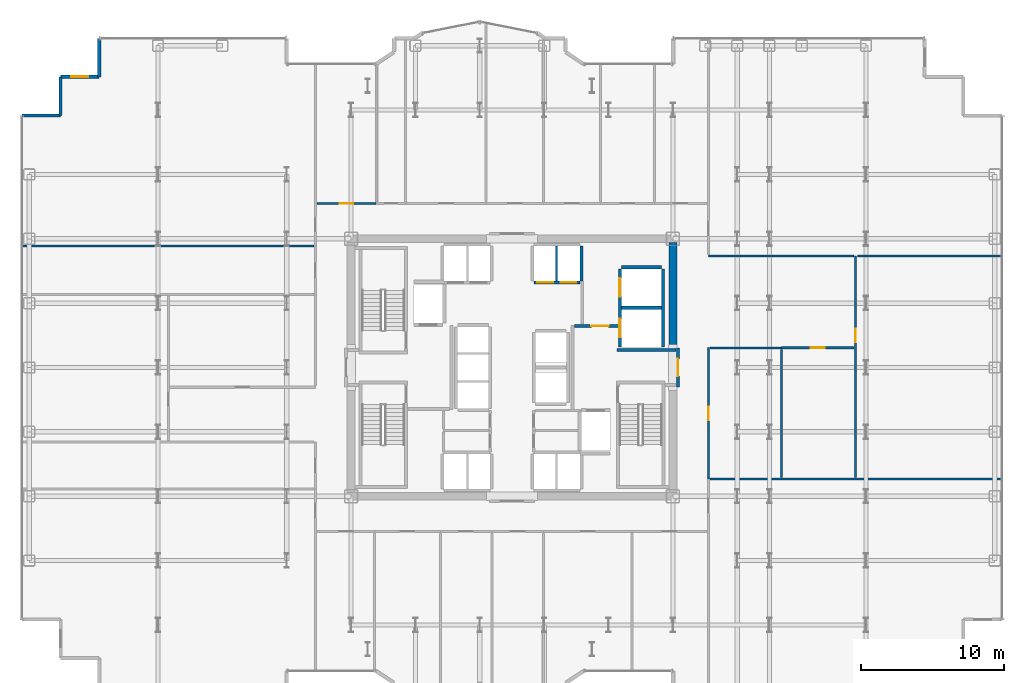
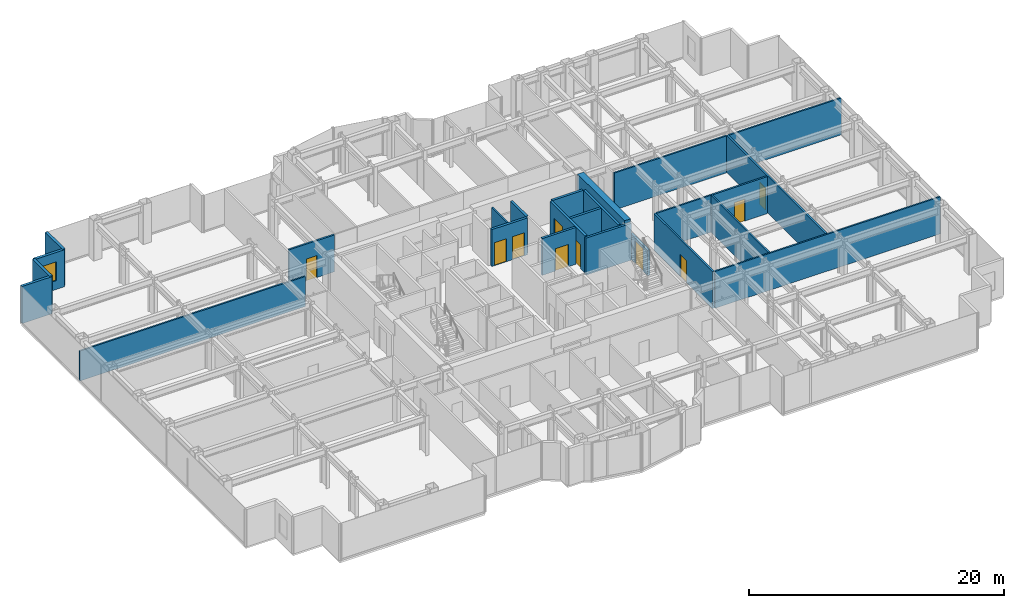
# One storey, part 23 of 26: 25 walls, 10 doors, 1 window, 11 openings.
"""IFC4 building model written with IfcOpenShell, lengths in metres."""

from ifc_helpers import new_model, si_unit, direction, frame, frame_2d, origin, place, context, subcontext, project, spatial, rectangle, extrude, source, transform, mapped, material, layer, layer_set, type_object, element, fill, save


model = new_model("IFC4")

# Units and contexts
model_context = context("Model", 3, precision=1e-05, world=origin(), true_north=direction((0.0, 1.0)))
body_context = subcontext(model_context, "Body", "Model", "MODEL_VIEW")
ifc_project = project(units=[si_unit("LENGTHUNIT", "METRE"), si_unit("AREAUNIT", "SQUARE_METRE"), si_unit("VOLUMEUNIT", "CUBIC_METRE"), si_unit("PLANEANGLEUNIT", "RADIAN"), si_unit("MASSUNIT", "GRAM", prefix="KILO")], contexts=[model_context])

# Site, building, storey
site_placement = place(None, origin())
site = spatial("IfcSite", under=ifc_project, at=site_placement, CompositionType="ELEMENT")
building_placement = place(site_placement, origin())
building = spatial("IfcBuilding", under=site, at=building_placement, Name="Nefas-Gora Pilgrimage Tower", CompositionType="ELEMENT")
storey_placement = place(building_placement, frame((0.0, 0.0, 121.199951171875)))
storey = spatial("IfcBuildingStorey", under=building, at=storey_placement, Name="L29", CompositionType="ELEMENT", Elevation=121.199951171875)

# Walls
ifc_material_1 = material(Name="Concrete C60/75", Category="concrete")
ifc_layer_1 = layer(ifc_material_1, 0.550048828125)
ifc_layer_set_1 = layer_set([ifc_layer_1], Name="Concrete C60/75")
wall_type_1 = type_object("IfcWallType", Name="SW-CORE-550", PredefinedType="SHEAR", material=ifc_layer_set_1)
shared_shape_1 = source(origin(), body_context, "Body", "SweptSolid", [
    extrude(rectangle(XDim=7.375, YDim=0.550048828125, at=frame_2d((3.6875, 0.0))), origin(), (0.0, 0.0, 1.0), 3.800048828125),
])
wall_1_placement = place(storey_placement, frame((11.25, 1.35009765625, 0.0), z_axis=(0.0, 0.0, 1.0), x_axis=(0.0, 1.0, 0.0)))
element("IfcWall", 1, at=wall_1_placement, inside=storey, type_object=wall_type_1, Name="L29 Core Shear Wall E-North", PredefinedType="SHEAR", context=body_context, shape_type="MappedRepresentation", body=[
    mapped(shared_shape_1, transform((0.0, 0.0, 0.0), x_axis=(1.0, 0.0, 0.0), y_axis=(0.0, 1.0, 0.0), z_axis=(0.0, 0.0, 1.0), scale=1.0)),
])
ifc_material_2 = material(Name="Precast concrete C45/55", Category="concrete")
ifc_layer_2 = layer(ifc_material_2, 0.239990234375)
ifc_layer_set_2 = layer_set([ifc_layer_2], Name="Precast concrete C45/55")
wall_type_2 = type_object("IfcWallType", Name="EW-SERR-240", PredefinedType="SHEAR", material=ifc_layer_set_2)
shared_shape_2 = source(origin(), body_context, "Body", "SweptSolid", [
    extrude(rectangle(XDim=2.699951171875, YDim=0.239990234375, at=frame_2d((1.35009765625, 0.0))), origin(), (0.0, 0.0, 1.0), 3.550048828125),
])
wall_2_placement = place(storey_placement, frame((-28.8701171875, 23.02001953125, 0.0), z_axis=(0.0, 0.0, 1.0), x_axis=(0.0, -1.0, 0.0)))
element("IfcWall", 2, at=wall_2_placement, inside=storey, type_object=wall_type_2, Name="L29 Serrated Corner Shear Pier Wall 20", PredefinedType="SHEAR", context=body_context, shape_type="MappedRepresentation", body=[
    mapped(shared_shape_2, transform((0.0, 0.0, 0.0), x_axis=(1.0, 0.0, 0.0), y_axis=(0.0, 1.0, 0.0), z_axis=(0.0, 0.0, 1.0), scale=1.0)),
])

# Wall, opening, window
wall_3_placement = place(storey_placement, frame((-28.8701171875, 20.320068359375, 0.0), z_axis=(0.0, 0.0, 1.0), x_axis=(-1.0, 0.0, 0.0)))
wall_3 = element("IfcWall", 3, at=wall_3_placement, inside=storey, type_object=wall_type_2, Name="L29 Serrated Corner Shear Pier Wall 21", PredefinedType="SHEAR", context=body_context, shape_type="MappedRepresentation", body=[
    mapped(shared_shape_2, transform((0.0, 0.0, 0.0), x_axis=(1.0, 0.0, 0.0), y_axis=(0.0, 1.0, 0.0), z_axis=(0.0, 0.0, 1.0), scale=1.0)),
])
opening_1_placement = place(wall_3_placement, frame((0.75, 0.0, 0.85009765625)))
opening_1 = element("IfcOpeningElement", 4, at=opening_1_placement, cuts=wall_3, Name="Opening W-V1", PredefinedType="OPENING", context=body_context, shape_type="SweptSolid", body=[
    extrude(rectangle(XDim=1.199951171875, YDim=1.800048828125, at=frame_2d((0.60009765625, 0.89990234375))), frame((0.0, 0.1298828125, 0.0), z_axis=(0.0, -1.0, 0.0), x_axis=(1.0, 0.0, 0.0)), (0.0, 0.0, 1.0), 0.260009765625),
])
ifc_material_3 = material(Name="Dark ceramic-fritted operable aluminium-glass window", Category="aluminium")
window_type = type_object("IfcWindowType", Name="WIN-VENT-1200x1800", PartitioningType="SINGLE_PANEL", PredefinedType="WINDOW", material=ifc_material_3)
shared_shape_3 = source(origin(), body_context, "Body", "SweptSolid", [
    extrude(rectangle(XDim=1.199951171875, YDim=1.800048828125, at=frame_2d((0.60009765625, 0.89990234375))), frame((0.0, 0.030029296875, 0.0), z_axis=(0.0, -1.0, 0.0), x_axis=(1.0, 0.0, 0.0)), (0.0, 0.0, 1.0), 0.06005859375),
])
window_placement = place(opening_1_placement, origin())
window = element("IfcWindow", 5, at=window_placement, inside=storey, type_object=window_type, Name="L29 Operable Parallel-Outswing Window 21", OverallHeight=1.800048828125, OverallWidth=1.199951171875, PartitioningType="SINGLE_PANEL", PredefinedType="WINDOW", context=body_context, shape_type="MappedRepresentation", body=[
    mapped(shared_shape_3, transform((0.0, 0.0, 0.0), x_axis=(1.0, 0.0, 0.0), y_axis=(0.0, 1.0, 0.0), z_axis=(0.0, 0.0, 1.0), scale=1.0)),
])
fill(opening_1, window)

# Walls
for number, where, z_axis, x_axis, name in (
    (6, (-31.570068359375, 20.320068359375, 0.0), (0.0, 0.0, 1.0), (0.0, -1.0, 0.0), "L29 Serrated Corner Shear Pier Wall 22"),
    (7, (-31.570068359375, 17.6201171875, 0.0), (0.0, 0.0, 1.0), (-1.0, 0.0, 0.0), "L29 Serrated Corner Shear Pier Wall 23"),
):
    element("IfcWall", number, at=place(storey_placement, frame(where, z_axis=z_axis, x_axis=x_axis)), inside=storey, type_object=wall_type_2, Name=name, PredefinedType="SHEAR", context=body_context, shape_type="MappedRepresentation", body=[
        mapped(shared_shape_2, transform((0.0, 0.0, 0.0), x_axis=(1.0, 0.0, 0.0), y_axis=(0.0, 1.0, 0.0), z_axis=(0.0, 0.0, 1.0), scale=1.0)),
    ])

# Wall, openings, doors
ifc_material_4 = material(Name="Concrete C40/50", Category="concrete")
ifc_layer_3 = layer(ifc_material_4, 0.219970703125)
ifc_layer_set_3 = layer_set([ifc_layer_3], Name="Concrete C40/50")
wall_type_3 = type_object("IfcWallType", Name="IW-SHAFT-220", PredefinedType="SOLIDWALL", material=ifc_layer_set_3)
shared_shape_4 = source(origin(), body_context, "Body", "SweptSolid", [
    extrude(rectangle(XDim=5.449951171875, YDim=0.219970703125, at=frame_2d((2.72509765625, 0.0))), origin(), (0.0, 0.0, 1.0), 3.53515625),
])
wall_4_placement = place(storey_placement, frame((7.5400390625, 6.89990234375, 0.0), z_axis=(0.0, 0.0, 1.0), x_axis=(0.0, -1.0, 0.0)))
wall_4 = element("IfcWall", 8, at=wall_4_placement, inside=storey, type_object=wall_type_3, Name="L29 Hoistway Wall SL-01-02-W", PredefinedType="SOLIDWALL", context=body_context, shape_type="MappedRepresentation", body=[
    mapped(shared_shape_4, transform((0.0, 0.0, 0.0), x_axis=(1.0, 0.0, 0.0), y_axis=(0.0, 1.0, 0.0), z_axis=(0.0, 0.0, 1.0), scale=1.0)),
])
opening_2_placement = place(wall_4_placement, frame((3.5, 0.0, 0.0)))
opening_2 = element("IfcOpeningElement", 9, at=opening_2_placement, cuts=wall_4, Name="Opening LD-SV", PredefinedType="OPENING", context=body_context, shape_type="SweptSolid", body=[
    extrude(rectangle(XDim=1.300048828125, YDim=2.300048828125, at=frame_2d((0.64990234375, 1.14990234375))), frame((0.0, 0.119873046875, 0.0), z_axis=(0.0, -1.0, 0.0), x_axis=(1.0, 0.0, 0.0)), (0.0, 0.0, 1.0), 0.239990234375),
])
opening_3_placement = place(wall_4_placement, frame((0.64990234375, 0.0, 0.0)))
opening_3 = element("IfcOpeningElement", 10, at=opening_3_placement, cuts=wall_4, Name="Opening LD-SV", PredefinedType="OPENING", context=body_context, shape_type="SweptSolid", body=[
    extrude(rectangle(XDim=1.300048828125, YDim=2.300048828125, at=frame_2d((0.64990234375, 1.14990234375))), frame((0.0, 0.119873046875, 0.0), z_axis=(0.0, -1.0, 0.0), x_axis=(1.0, 0.0, 0.0)), (0.0, 0.0, 1.0), 0.239990234375),
])
ifc_material_5 = material(Name="Heavy goods sliding lift landing door")
door_type_1 = type_object("IfcDoorType", Name="DR-LIFT-SERV-1300", OperationType="SLIDING_TO_RIGHT", PredefinedType="DOOR", material=ifc_material_5)
shared_shape_5 = source(origin(), body_context, "Body", "SweptSolid", [
    extrude(rectangle(XDim=1.300048828125, YDim=2.300048828125, at=frame_2d((0.64990234375, 1.14990234375))), frame((0.0, 0.02490234375, 0.0), z_axis=(0.0, -1.0, 0.0), x_axis=(1.0, 0.0, 0.0)), (0.0, 0.0, 1.0), 0.050048828125),
])
door_1_placement = place(opening_2_placement, origin())
door_1 = element("IfcDoor", 11, at=door_1_placement, inside=storey, type_object=door_type_1, Name="L29 Sliding Lift Landing Door SL-01", OperationType="SLIDING_TO_RIGHT", OverallHeight=2.300048828125, OverallWidth=1.300048828125, PredefinedType="DOOR", context=body_context, shape_type="MappedRepresentation", body=[
    mapped(shared_shape_5, transform((0.0, 0.0, 0.0), x_axis=(1.0, 0.0, 0.0), y_axis=(0.0, 1.0, 0.0), z_axis=(0.0, 0.0, 1.0), scale=1.0)),
])
fill(opening_2, door_1)
door_2_placement = place(opening_3_placement, origin())
door_2 = element("IfcDoor", 12, at=door_2_placement, inside=storey, type_object=door_type_1, Name="L29 Sliding Lift Landing Door SL-02", OperationType="SLIDING_TO_RIGHT", OverallHeight=2.300048828125, OverallWidth=1.300048828125, PredefinedType="DOOR", context=body_context, shape_type="MappedRepresentation", body=[
    mapped(shared_shape_5, transform((0.0, 0.0, 0.0), x_axis=(1.0, 0.0, 0.0), y_axis=(0.0, 1.0, 0.0), z_axis=(0.0, 0.0, 1.0), scale=1.0)),
])
fill(opening_3, door_2)

# Walls
wall_5_placement = place(storey_placement, frame((10.56005859375, 1.449951171875, 0.0), z_axis=(0.0, 0.0, 1.0), x_axis=(0.0, 1.0, 0.0)))
element("IfcWall", 13, at=wall_5_placement, inside=storey, type_object=wall_type_3, Name="L29 Hoistway Wall SL-01-02-E", PredefinedType="SOLIDWALL", context=body_context, shape_type="MappedRepresentation", body=[
    mapped(shared_shape_4, transform((0.0, 0.0, 0.0), x_axis=(1.0, 0.0, 0.0), y_axis=(0.0, 1.0, 0.0), z_axis=(0.0, 0.0, 1.0), scale=1.0)),
])
shared_shape_6 = source(origin(), body_context, "Body", "SweptSolid", [
    extrude(rectangle(XDim=2.780029296875, YDim=0.219970703125, at=frame_2d((1.39013671875, 0.0))), origin(), (0.0, 0.0, 1.0), 3.53515625),
])
for number, where, z_axis, x_axis, name in (
    (14, (7.659912109375, 4.175048828125, 0.0), (0.0, 0.0, 1.0), (1.0, 0.0, 0.0), "L29 Hoistway Wall SL-01-02-DIV"),
    (15, (10.43994140625, 7.010009765625, 0.0), (0.0, 0.0, 1.0), (-1.0, 0.0, 0.0), "L29 Hoistway Wall SL-02-N"),
):
    element("IfcWall", number, at=place(storey_placement, frame(where, z_axis=z_axis, x_axis=x_axis)), inside=storey, type_object=wall_type_3, Name=name, PredefinedType="SOLIDWALL", context=body_context, shape_type="MappedRepresentation", body=[
        mapped(shared_shape_6, transform((0.0, 0.0, 0.0), x_axis=(1.0, 0.0, 0.0), y_axis=(0.0, 1.0, 0.0), z_axis=(0.0, 0.0, 1.0), scale=1.0)),
    ])

# Wall, openings, doors
shared_shape_7 = source(origin(), body_context, "Body", "SweptSolid", [
    extrude(rectangle(XDim=3.199951171875, YDim=0.219970703125, at=frame_2d((1.60009765625, 0.0))), origin(), (0.0, 0.0, 1.0), 3.53515625),
])
wall_6_placement = place(storey_placement, frame((1.550048828125, 5.93994140625, 0.0), z_axis=(0.0, 0.0, 1.0), x_axis=(1.0, 0.0, 0.0)))
wall_6 = element("IfcWall", 16, at=wall_6_placement, inside=storey, type_object=wall_type_3, Name="L29 Hoistway Wall PL1-E-S", PredefinedType="SOLIDWALL", context=body_context, shape_type="MappedRepresentation", body=[
    mapped(shared_shape_7, transform((0.0, 0.0, 0.0), x_axis=(1.0, 0.0, 0.0), y_axis=(0.0, 1.0, 0.0), z_axis=(0.0, 0.0, 1.0), scale=1.0)),
])
opening_4_placement = place(wall_6_placement, frame((0.22509765625, 0.0, 0.0)))
opening_4 = element("IfcOpeningElement", 17, at=opening_4_placement, cuts=wall_6, Name="Opening LD-01", PredefinedType="OPENING", context=body_context, shape_type="SweptSolid", body=[
    extrude(rectangle(XDim=1.10009765625, YDim=2.199951171875, at=frame_2d((0.550048828125, 1.10009765625))), frame((0.0, 0.119873046875, 0.0), z_axis=(0.0, -1.0, 0.0), x_axis=(1.0, 0.0, 0.0)), (0.0, 0.0, 1.0), 0.239990234375),
])
opening_5_placement = place(wall_6_placement, frame((1.85009765625, 0.0, 0.0)))
opening_5 = element("IfcOpeningElement", 18, at=opening_5_placement, cuts=wall_6, Name="Opening LD-01", PredefinedType="OPENING", context=body_context, shape_type="SweptSolid", body=[
    extrude(rectangle(XDim=1.10009765625, YDim=2.199951171875, at=frame_2d((0.550048828125, 1.10009765625))), frame((0.0, 0.119873046875, 0.0), z_axis=(0.0, -1.0, 0.0), x_axis=(1.0, 0.0, 0.0)), (0.0, 0.0, 1.0), 0.239990234375),
])
ifc_material_6 = material(Name="Brushed stainless sliding lift landing door")
door_type_2 = type_object("IfcDoorType", Name="DR-LIFT-PASS-1100", OperationType="DOUBLE_DOOR_SLIDING", PredefinedType="DOOR", material=ifc_material_6)
shared_shape_8 = source(origin(), body_context, "Body", "SweptSolid", [
    extrude(rectangle(XDim=1.10009765625, YDim=2.199951171875, at=frame_2d((0.550048828125, 1.10009765625))), frame((0.0, 0.02490234375, 0.0), z_axis=(0.0, -1.0, 0.0), x_axis=(1.0, 0.0, 0.0)), (0.0, 0.0, 1.0), 0.050048828125),
])
door_3_placement = place(opening_4_placement, origin())
door_3 = element("IfcDoor", 19, at=door_3_placement, inside=storey, type_object=door_type_2, Name="L29 Sliding Lift Landing Door PL1-03", OperationType="DOUBLE_DOOR_SLIDING", OverallHeight=2.199951171875, OverallWidth=1.10009765625, PredefinedType="DOOR", context=body_context, shape_type="MappedRepresentation", body=[
    mapped(shared_shape_8, transform((0.0, 0.0, 0.0), x_axis=(1.0, 0.0, 0.0), y_axis=(0.0, 1.0, 0.0), z_axis=(0.0, 0.0, 1.0), scale=1.0)),
])
fill(opening_4, door_3)
door_4_placement = place(opening_5_placement, origin())
door_4 = element("IfcDoor", 20, at=door_4_placement, inside=storey, type_object=door_type_2, Name="L29 Sliding Lift Landing Door PL1-04", OperationType="DOUBLE_DOOR_SLIDING", OverallHeight=2.199951171875, OverallWidth=1.10009765625, PredefinedType="DOOR", context=body_context, shape_type="MappedRepresentation", body=[
    mapped(shared_shape_8, transform((0.0, 0.0, 0.0), x_axis=(1.0, 0.0, 0.0), y_axis=(0.0, 1.0, 0.0), z_axis=(0.0, 0.0, 1.0), scale=1.0)),
])
fill(opening_5, door_4)

# Walls
shared_shape_9 = source(origin(), body_context, "Body", "SweptSolid", [
    extrude(rectangle(XDim=2.429931640625, YDim=0.219970703125, at=frame_2d((1.21484375, 0.0))), origin(), (0.0, 0.0, 1.0), 3.53515625),
])
wall_7_placement = place(storey_placement, frame((4.860107421875, 6.06005859375, 0.0), z_axis=(0.0, 0.0, 1.0), x_axis=(0.0, 1.0, 0.0)))
element("IfcWall", 21, at=wall_7_placement, inside=storey, type_object=wall_type_3, Name="L29 Hoistway Wall PL1-E-E", PredefinedType="SOLIDWALL", context=body_context, shape_type="MappedRepresentation", body=[
    mapped(shared_shape_9, transform((0.0, 0.0, 0.0), x_axis=(1.0, 0.0, 0.0), y_axis=(0.0, 1.0, 0.0), z_axis=(0.0, 0.0, 1.0), scale=1.0)),
])
ifc_material_7 = material(Name="Gypsum twin-stud partition")
ifc_layer_4 = layer(ifc_material_7, 0.139892578125)
ifc_layer_set_4 = layer_set([ifc_layer_4], Name="Gypsum twin-stud partition")
wall_type_4 = type_object("IfcWallType", Name="IW-UNIT-140", PredefinedType="PARTITIONING", material=ifc_layer_set_4)
shared_shape_10 = source(origin(), body_context, "Body", "SweptSolid", [
    extrude(rectangle(XDim=2.429931640625, YDim=0.139892578125, at=frame_2d((1.21484375, 0.0))), origin(), (0.0, 0.0, 1.0), 3.53515625),
])
wall_8_placement = place(storey_placement, frame((3.125, 6.06005859375, 0.0), z_axis=(0.0, 0.0, 1.0), x_axis=(0.0, 1.0, 0.0)))
element("IfcWall", 22, at=wall_8_placement, inside=storey, type_object=wall_type_4, Name="L29 Hoistway Wall PL1-E-DIV", PredefinedType="PARTITIONING", context=body_context, shape_type="MappedRepresentation", body=[
    mapped(shared_shape_10, transform((0.0, 0.0, 0.0), x_axis=(1.0, 0.0, 0.0), y_axis=(0.0, 1.0, 0.0), z_axis=(0.0, 0.0, 1.0), scale=1.0)),
])

# Wall, opening, door
ifc_material_8 = material(Name="Gypsum fire-rated shaftwall")
ifc_layer_5 = layer(ifc_material_8, 0.199951171875)
ifc_layer_set_5 = layer_set([ifc_layer_5], Name="Gypsum fire-rated shaftwall")
wall_type_5 = type_object("IfcWallType", Name="IW-FFLOB-200", PredefinedType="PARTITIONING", material=ifc_layer_set_5)
shared_shape_11 = source(origin(), body_context, "Body", "SweptSolid", [
    extrude(rectangle(XDim=2.7001953125, YDim=0.199951171875, at=frame_2d((1.35009765625, 0.0))), origin(), (0.0, 0.0, 1.0), 2.425048828125),
])
wall_9_placement = place(storey_placement, frame((11.60009765625, -1.35009765625, 0.0), z_axis=(0.0, 0.0, 1.0), x_axis=(0.0, 1.0, 0.0)))
wall_9 = element("IfcWall", 23, at=wall_9_placement, inside=storey, type_object=wall_type_5, Name="L29 FF Lobby East Portal Wall 8", PredefinedType="PARTITIONING", context=body_context, shape_type="MappedRepresentation", body=[
    mapped(shared_shape_11, transform((0.0, 0.0, 0.0), x_axis=(1.0, 0.0, 0.0), y_axis=(0.0, 1.0, 0.0), z_axis=(0.0, 0.0, 1.0), scale=1.0)),
])
opening_6_placement = place(wall_9_placement, frame((0.75, 0.0, 0.0)))
opening_6 = element("IfcOpeningElement", 24, at=opening_6_placement, cuts=wall_9, Name="Opening ID-FF1", PredefinedType="OPENING", context=body_context, shape_type="SweptSolid", body=[
    extrude(rectangle(XDim=1.199951171875, YDim=2.14990234375, at=frame_2d((0.60009765625, 1.074951171875))), frame((0.0, 0.10986328125, 0.0), z_axis=(0.0, -1.0, 0.0), x_axis=(1.0, 0.0, 0.0)), (0.0, 0.0, 1.0), 0.219970703125),
])
ifc_material_9 = material(Name="Smoke-sealed steel firefighting lobby door", Category="steel")
door_type_3 = type_object("IfcDoorType", Name="DR-INT-FFLOB-1200", OperationType="NOTDEFINED", PredefinedType="DOOR", material=ifc_material_9)
shared_shape_12 = source(origin(), body_context, "Body", "SweptSolid", [
    extrude(rectangle(XDim=1.199951171875, YDim=2.14990234375, at=frame_2d((0.60009765625, 1.074951171875))), frame((0.0, 0.02490234375, 0.0), z_axis=(0.0, -1.0, 0.0), x_axis=(1.0, 0.0, 0.0)), (0.0, 0.0, 1.0), 0.050048828125),
])
door_5_placement = place(opening_6_placement, origin())
door_5 = element("IfcDoor", 25, at=door_5_placement, inside=storey, type_object=door_type_3, Name="L29 FF Lobby East Portal Door 2", OperationType="SINGLE_SWING_RIGHT", OverallHeight=2.14990234375, OverallWidth=1.199951171875, PredefinedType="DOOR", context=body_context, shape_type="MappedRepresentation", body=[
    mapped(shared_shape_12, transform((0.0, 0.0, 0.0), x_axis=(1.0, 0.0, 0.0), y_axis=(0.0, 1.0, 0.0), z_axis=(0.0, 0.0, 1.0), scale=1.0)),
])
fill(opening_6, door_5)

shared_shape_13 = source(origin(), body_context, "Body", "SweptSolid", [
    extrude(rectangle(XDim=3.039794921875, YDim=0.199951171875, at=frame_2d((1.52001953125, 0.0))), origin(), (0.0, 0.0, 1.0), 3.53515625),
])
wall_10_placement = place(storey_placement, frame((4.360107421875, 2.89990234375, 0.0), z_axis=(0.0, 0.0, 1.0), x_axis=(1.0, 0.0, 0.0)))
wall_10 = element("IfcWall", 26, at=wall_10_placement, inside=storey, type_object=wall_type_5, Name="L29 FF Lobby East North Wall Wall 10", PredefinedType="PARTITIONING", context=body_context, shape_type="MappedRepresentation", body=[
    mapped(shared_shape_13, transform((0.0, 0.0, 0.0), x_axis=(1.0, 0.0, 0.0), y_axis=(0.0, 1.0, 0.0), z_axis=(0.0, 0.0, 1.0), scale=1.0)),
])
opening_7_placement = place(wall_10_placement, frame((1.18994140625, 0.0, 0.0)))
opening_7 = element("IfcOpeningElement", 27, at=opening_7_placement, cuts=wall_10, Name="Opening ID-PL1", PredefinedType="OPENING", context=body_context, shape_type="SweptSolid", body=[
    extrude(rectangle(XDim=1.199951171875, YDim=2.14990234375, at=frame_2d((0.60009765625, 1.074951171875))), frame((0.0, 0.10986328125, 0.0), z_axis=(0.0, -1.0, 0.0), x_axis=(1.0, 0.0, 0.0)), (0.0, 0.0, 1.0), 0.219970703125),
])
ifc_material_10 = material(Name="Heavy-duty steel plant room fire door", Category="steel")
door_type_4 = type_object("IfcDoorType", Name="DR-INT-PLANT-1200", OperationType="NOTDEFINED", PredefinedType="DOOR", material=ifc_material_10)
door_6_placement = place(opening_7_placement, origin())
door_6 = element("IfcDoor", 28, at=door_6_placement, inside=storey, type_object=door_type_4, Name="L29 Service Lift Lobby Door Door 3", OperationType="SINGLE_SWING_LEFT", OverallHeight=2.14990234375, OverallWidth=1.199951171875, PredefinedType="DOOR", context=body_context, shape_type="MappedRepresentation", body=[
    mapped(shared_shape_12, transform((0.0, 0.0, 0.0), x_axis=(1.0, 0.0, 0.0), y_axis=(0.0, 1.0, 0.0), z_axis=(0.0, 0.0, 1.0), scale=1.0)),
])
fill(opening_7, door_6)

# Walls
shared_shape_14 = source(origin(), body_context, "Body", "SweptSolid", [
    extrude(rectangle(XDim=4.10986328125, YDim=0.199951171875, at=frame_2d((2.054931640625, 0.0))), origin(), (0.0, 0.0, 1.0), 3.53515625),
])
wall_11_placement = place(storey_placement, frame((7.35009765625, 1.219970703125, 0.0), z_axis=(0.0, 0.0, 1.0), x_axis=(1.0, 0.0, 0.0)))
element("IfcWall", 29, at=wall_11_placement, inside=storey, type_object=wall_type_5, Name="L29 FF Lobby East Throat N Wall 11", PredefinedType="PARTITIONING", context=body_context, shape_type="MappedRepresentation", body=[
    mapped(shared_shape_14, transform((0.0, 0.0, 0.0), x_axis=(1.0, 0.0, 0.0), y_axis=(0.0, 1.0, 0.0), z_axis=(0.0, 0.0, 1.0), scale=1.0)),
])
shared_shape_15 = source(origin(), body_context, "Body", "SweptSolid", [
    extrude(rectangle(XDim=10.169921875, YDim=0.139892578125, at=frame_2d((5.0849609375, 0.0))), origin(), (0.0, 0.0, 1.0), 3.53515625),
])
wall_12_placement = place(storey_placement, frame((13.72998046875, 7.794921875, 0.0), z_axis=(0.0, 0.0, 1.0), x_axis=(1.0, 0.0, 0.0)))
element("IfcWall", 30, at=wall_12_placement, inside=storey, type_object=wall_type_4, Name="L29 Pilgrim Fellowship Seminar Room Partition Wall 42", PredefinedType="PARTITIONING", context=body_context, shape_type="MappedRepresentation", body=[
    mapped(shared_shape_15, transform((0.0, 0.0, 0.0), x_axis=(1.0, 0.0, 0.0), y_axis=(0.0, 1.0, 0.0), z_axis=(0.0, 0.0, 1.0), scale=1.0)),
])
shared_shape_16 = source(origin(), body_context, "Body", "SweptSolid", [
    extrude(rectangle(XDim=4.994873046875, YDim=0.139892578125, at=frame_2d((2.49755859375, 0.0))), origin(), (0.0, 0.0, 1.0), 3.53515625),
])
wall_13_placement = place(storey_placement, frame((13.860107421875, 1.3798828125, 0.0), z_axis=(0.0, 0.0, 1.0), x_axis=(1.0, 0.0, 0.0)))
element("IfcWall", 31, at=wall_13_placement, inside=storey, type_object=wall_type_4, Name="L29 Pilgrim Contemplative Lounge Partition Wall 45", PredefinedType="PARTITIONING", context=body_context, shape_type="MappedRepresentation", body=[
    mapped(shared_shape_16, transform((0.0, 0.0, 0.0), x_axis=(1.0, 0.0, 0.0), y_axis=(0.0, 1.0, 0.0), z_axis=(0.0, 0.0, 1.0), scale=1.0)),
])

# Wall, opening, door
ifc_material_11 = material(Name="Gypsum acoustic stud partition")
ifc_layer_6 = layer(ifc_material_11, 0.159912109375)
ifc_layer_set_6 = layer_set([ifc_layer_6], Name="Gypsum acoustic stud partition")
wall_type_6 = type_object("IfcWallType", Name="IW-CORR-160", PredefinedType="PARTITIONING", material=ifc_layer_set_6)
shared_shape_17 = source(origin(), body_context, "Body", "SweptSolid", [
    extrude(rectangle(XDim=5.044921875, YDim=0.159912109375, at=frame_2d((2.5224609375, 0.0))), origin(), (0.0, 0.0, 1.0), 3.53515625),
])
wall_14_placement = place(storey_placement, frame((18.85498046875, 1.3798828125, 0.0), z_axis=(0.0, 0.0, 1.0), x_axis=(1.0, 0.0, 0.0)))
wall_14 = element("IfcWall", 32, at=wall_14_placement, inside=storey, type_object=wall_type_6, Name="L29 Pilgrim Contemplative Lounge Partition Wall 47", PredefinedType="PARTITIONING", context=body_context, shape_type="MappedRepresentation", body=[
    mapped(shared_shape_17, transform((0.0, 0.0, 0.0), x_axis=(1.0, 0.0, 0.0), y_axis=(0.0, 1.0, 0.0), z_axis=(0.0, 0.0, 1.0), scale=1.0)),
])
opening_8_placement = place(wall_14_placement, frame((2.047607421875, 0.0, 0.0)))
opening_8 = element("IfcOpeningElement", 33, at=opening_8_placement, cuts=wall_14, Name="Opening ID-GR1", PredefinedType="OPENING", context=body_context, shape_type="SweptSolid", body=[
    extrude(rectangle(XDim=0.949951171875, YDim=2.10009765625, at=frame_2d((0.47509765625, 1.050048828125))), frame((0.0, 0.08984375, 0.0), z_axis=(0.0, -1.0, 0.0), x_axis=(1.0, 0.0, 0.0)), (0.0, 0.0, 1.0), 0.179931640625),
])
ifc_material_12 = material(Name="Solid core oak fire-rated guest entrance door")
door_type_5 = type_object("IfcDoorType", Name="DR-INT-GUEST-950", OperationType="NOTDEFINED", PredefinedType="DOOR", material=ifc_material_12)
shared_shape_18 = source(origin(), body_context, "Body", "SweptSolid", [
    extrude(rectangle(XDim=0.949951171875, YDim=2.10009765625, at=frame_2d((0.47509765625, 1.050048828125))), frame((0.0, 0.02490234375, 0.0), z_axis=(0.0, -1.0, 0.0), x_axis=(1.0, 0.0, 0.0)), (0.0, 0.0, 1.0), 0.050048828125),
])
door_7_placement = place(opening_8_placement, origin())
door_7 = element("IfcDoor", 34, at=door_7_placement, inside=storey, type_object=door_type_5, Name="L29 Pilgrim Contemplative Lounge Door 20", OperationType="SINGLE_SWING_RIGHT", OverallHeight=2.10009765625, OverallWidth=0.949951171875, PredefinedType="DOOR", context=body_context, shape_type="MappedRepresentation", body=[
    mapped(shared_shape_18, transform((0.0, 0.0, 0.0), x_axis=(1.0, 0.0, 0.0), y_axis=(0.0, 1.0, 0.0), z_axis=(0.0, 0.0, 1.0), scale=1.0)),
])
fill(opening_8, door_7)

shared_shape_19 = source(origin(), body_context, "Body", "SweptSolid", [
    extrude(rectangle(XDim=4.125, YDim=0.159912109375, at=frame_2d((2.0625, 0.0))), origin(), (0.0, 0.0, 1.0), 3.53515625),
])
wall_15_placement = place(storey_placement, frame((-13.6201171875, 11.469970703125, 0.0), z_axis=(0.0, 0.0, 1.0), x_axis=(1.0, 0.0, 0.0)))
wall_15 = element("IfcWall", 35, at=wall_15_placement, inside=storey, type_object=wall_type_6, Name="L29 Pilgrim Contemplative Lounge Partition Wall 49", PredefinedType="PARTITIONING", context=body_context, shape_type="MappedRepresentation", body=[
    mapped(shared_shape_19, transform((0.0, 0.0, 0.0), x_axis=(1.0, 0.0, 0.0), y_axis=(0.0, 1.0, 0.0), z_axis=(0.0, 0.0, 1.0), scale=1.0)),
])
opening_9_placement = place(wall_15_placement, frame((1.58740234375, 0.0, 0.0)))
opening_9 = element("IfcOpeningElement", 36, at=opening_9_placement, cuts=wall_15, Name="Opening ID-GR1", PredefinedType="OPENING", context=body_context, shape_type="SweptSolid", body=[
    extrude(rectangle(XDim=0.949951171875, YDim=2.10009765625, at=frame_2d((0.47509765625, 1.050048828125))), frame((0.0, 0.08984375, 0.0), z_axis=(0.0, -1.0, 0.0), x_axis=(1.0, 0.0, 0.0)), (0.0, 0.0, 1.0), 0.179931640625),
])
door_8_placement = place(opening_9_placement, origin())
door_8 = element("IfcDoor", 37, at=door_8_placement, inside=storey, type_object=door_type_5, Name="L29 Pilgrim Contemplative Lounge Door 22", OperationType="SINGLE_SWING_RIGHT", OverallHeight=2.10009765625, OverallWidth=0.949951171875, PredefinedType="DOOR", context=body_context, shape_type="MappedRepresentation", body=[
    mapped(shared_shape_18, transform((0.0, 0.0, 0.0), x_axis=(1.0, 0.0, 0.0), y_axis=(0.0, 1.0, 0.0), z_axis=(0.0, 0.0, 1.0), scale=1.0)),
])
fill(opening_9, door_8)

# Walls
shared_shape_20 = source(origin(), body_context, "Body", "SweptSolid", [
    extrude(rectangle(XDim=20.429931640625, YDim=0.139892578125, at=frame_2d((10.21484375, 0.0))), origin(), (0.0, 0.0, 1.0), 3.53515625),
])
wall_16_placement = place(storey_placement, frame((13.860107421875, -7.804931640625, 0.0), z_axis=(0.0, 0.0, 1.0), x_axis=(1.0, 0.0, 0.0)))
element("IfcWall", 38, at=wall_16_placement, inside=storey, type_object=wall_type_4, Name="L29 Pilgrim Fellowship Seminar Room Partition Wall 40", PredefinedType="PARTITIONING", context=body_context, shape_type="MappedRepresentation", body=[
    mapped(shared_shape_20, transform((0.0, 0.0, 0.0), x_axis=(1.0, 0.0, 0.0), y_axis=(0.0, 1.0, 0.0), z_axis=(0.0, 0.0, 1.0), scale=1.0)),
])
shared_shape_21 = source(origin(), body_context, "Body", "SweptSolid", [
    extrude(rectangle(XDim=10.150146484375, YDim=0.139892578125, at=frame_2d((5.0751953125, 0.0))), origin(), (0.0, 0.0, 1.0), 3.53515625),
])
wall_17_placement = place(storey_placement, frame((24.139892578125, 7.794921875, 0.0), z_axis=(0.0, 0.0, 1.0), x_axis=(1.0, 0.0, 0.0)))
element("IfcWall", 39, at=wall_17_placement, inside=storey, type_object=wall_type_4, Name="L29 Pilgrim Fellowship Seminar Room Partition Wall 43", PredefinedType="PARTITIONING", context=body_context, shape_type="MappedRepresentation", body=[
    mapped(shared_shape_21, transform((0.0, 0.0, 0.0), x_axis=(1.0, 0.0, 0.0), y_axis=(0.0, 1.0, 0.0), z_axis=(0.0, 0.0, 1.0), scale=1.0)),
])
shared_shape_22 = source(origin(), body_context, "Body", "SweptSolid", [
    extrude(rectangle(XDim=20.429931640625, YDim=0.139892578125, at=frame_2d((10.21484375, 0.0))), origin(), (0.0, 0.0, 1.0), 2.875),
])
wall_18_placement = place(storey_placement, frame((-34.2900390625, 8.4951171875, 0.0), z_axis=(0.0, 0.0, 1.0), x_axis=(1.0, 0.0, 0.0)))
element("IfcWall", 40, at=wall_18_placement, inside=storey, type_object=wall_type_4, Name="L29 Pilgrim Fellowship Seminar Room Partition Wall 37", PredefinedType="PARTITIONING", context=body_context, shape_type="MappedRepresentation", body=[
    mapped(shared_shape_22, transform((0.0, 0.0, 0.0), x_axis=(1.0, 0.0, 0.0), y_axis=(0.0, 1.0, 0.0), z_axis=(0.0, 0.0, 1.0), scale=1.0)),
])

# Wall, opening, door
shared_shape_23 = source(origin(), body_context, "Body", "SweptSolid", [
    extrude(rectangle(XDim=15.5, YDim=0.159912109375, at=frame_2d((7.75, 0.0))), origin(), (0.0, 0.0, 1.0), 3.53515625),
])
wall_19_placement = place(storey_placement, frame((24.02001953125, -7.695068359375, 0.0), z_axis=(0.0, 0.0, 1.0), x_axis=(0.0, 1.0, 0.0)))
wall_19 = element("IfcWall", 41, at=wall_19_placement, inside=storey, type_object=wall_type_6, Name="L29 Pilgrim Fellowship Seminar Room Partition Wall 41", PredefinedType="PARTITIONING", context=body_context, shape_type="MappedRepresentation", body=[
    mapped(shared_shape_23, transform((0.0, 0.0, 0.0), x_axis=(1.0, 0.0, 0.0), y_axis=(0.0, 1.0, 0.0), z_axis=(0.0, 0.0, 1.0), scale=1.0)),
])
opening_10_placement = place(wall_19_placement, frame((9.469970703125, 0.0, 0.0)))
opening_10 = element("IfcOpeningElement", 42, at=opening_10_placement, cuts=wall_19, Name="Opening ID-GR1", PredefinedType="OPENING", context=body_context, shape_type="SweptSolid", body=[
    extrude(rectangle(XDim=0.949951171875, YDim=2.10009765625, at=frame_2d((0.47509765625, 1.050048828125))), frame((0.0, 0.08984375, 0.0), z_axis=(0.0, -1.0, 0.0), x_axis=(1.0, 0.0, 0.0)), (0.0, 0.0, 1.0), 0.179931640625),
])
door_9_placement = place(opening_10_placement, origin())
door_9 = element("IfcDoor", 43, at=door_9_placement, inside=storey, type_object=door_type_5, Name="L29 Pilgrim Fellowship Seminar Room Door 18", OperationType="SINGLE_SWING_RIGHT", OverallHeight=2.10009765625, OverallWidth=0.949951171875, PredefinedType="DOOR", context=body_context, shape_type="MappedRepresentation", body=[
    mapped(shared_shape_18, transform((0.0, 0.0, 0.0), x_axis=(1.0, 0.0, 0.0), y_axis=(0.0, 1.0, 0.0), z_axis=(0.0, 0.0, 1.0), scale=1.0)),
])
fill(opening_10, door_9)

shared_shape_24 = source(origin(), body_context, "Body", "SweptSolid", [
    extrude(rectangle(XDim=9.19482421875, YDim=0.159912109375, at=frame_2d((4.597412109375, 0.0))), origin(), (0.0, 0.0, 1.0), 3.53515625),
])
wall_20_placement = place(storey_placement, frame((13.739990234375, -7.804931640625, 0.0), z_axis=(0.0, 0.0, 1.0), x_axis=(0.0, 1.0, 0.0)))
wall_20 = element("IfcWall", 44, at=wall_20_placement, inside=storey, type_object=wall_type_6, Name="L29 Pilgrim Contemplative Lounge Partition Wall 44", PredefinedType="PARTITIONING", context=body_context, shape_type="MappedRepresentation", body=[
    mapped(shared_shape_24, transform((0.0, 0.0, 0.0), x_axis=(1.0, 0.0, 0.0), y_axis=(0.0, 1.0, 0.0), z_axis=(0.0, 0.0, 1.0), scale=1.0)),
])
opening_11_placement = place(wall_20_placement, frame((4.12255859375, 0.0, 0.0)))
opening_11 = element("IfcOpeningElement", 45, at=opening_11_placement, cuts=wall_20, Name="Opening ID-GR1", PredefinedType="OPENING", context=body_context, shape_type="SweptSolid", body=[
    extrude(rectangle(XDim=0.949951171875, YDim=2.10009765625, at=frame_2d((0.47509765625, 1.050048828125))), frame((0.0, 0.08984375, 0.0), z_axis=(0.0, -1.0, 0.0), x_axis=(1.0, 0.0, 0.0)), (0.0, 0.0, 1.0), 0.179931640625),
])
door_10_placement = place(opening_11_placement, origin())
door_10 = element("IfcDoor", 46, at=door_10_placement, inside=storey, type_object=door_type_5, Name="L29 Pilgrim Contemplative Lounge Door 19", OperationType="SINGLE_SWING_LEFT", OverallHeight=2.10009765625, OverallWidth=0.949951171875, PredefinedType="DOOR", context=body_context, shape_type="MappedRepresentation", body=[
    mapped(shared_shape_18, transform((0.0, 0.0, 0.0), x_axis=(1.0, 0.0, 0.0), y_axis=(0.0, 1.0, 0.0), z_axis=(0.0, 0.0, 1.0), scale=1.0)),
])
fill(opening_11, door_10)

# Wall
shared_shape_25 = source(origin(), body_context, "Body", "SweptSolid", [
    extrude(rectangle(XDim=8.965087890625, YDim=0.139892578125, at=frame_2d((4.482421875, 0.0))), origin(), (0.0, 0.0, 1.0), 3.53515625),
])
wall_21_placement = place(storey_placement, frame((18.844970703125, -7.695068359375, 0.0), z_axis=(0.0, 0.0, 1.0), x_axis=(0.0, 1.0, 0.0)))
element("IfcWall", 47, at=wall_21_placement, inside=storey, type_object=wall_type_4, Name="L29 Pilgrim Contemplative Lounge Partition Wall 46", PredefinedType="PARTITIONING", context=body_context, shape_type="MappedRepresentation", body=[
    mapped(shared_shape_25, transform((0.0, 0.0, 0.0), x_axis=(1.0, 0.0, 0.0), y_axis=(0.0, 1.0, 0.0), z_axis=(0.0, 0.0, 1.0), scale=1.0)),
])

save(model, "model.ifc")
